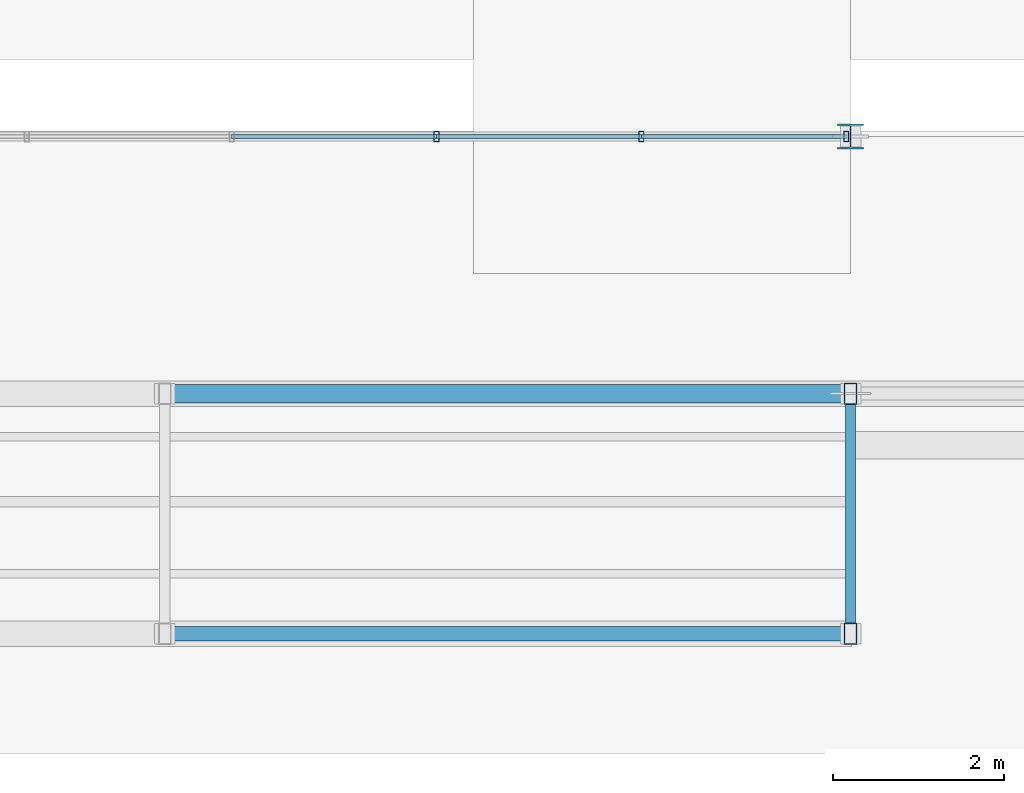
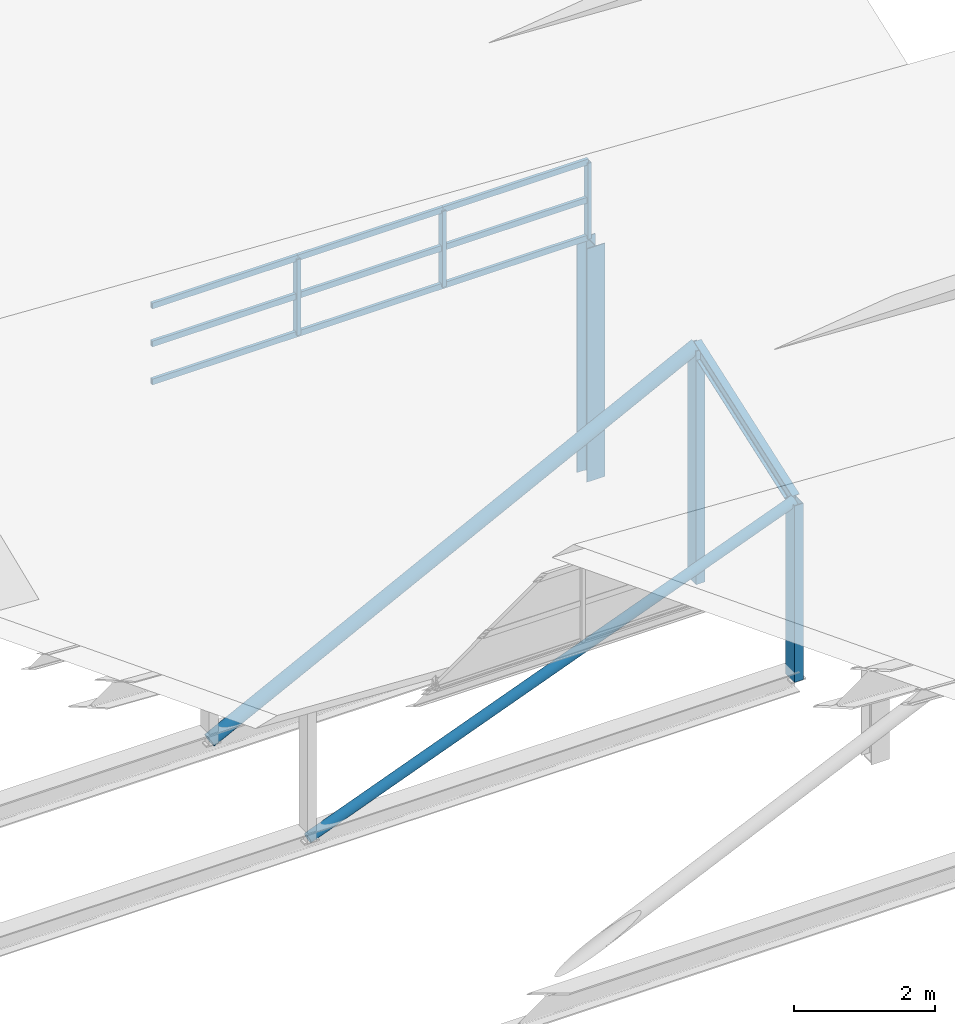
# One storey, part 119 of 141: 18 members, 1 element without a shape of its own.
"""IFC4 building model written with IfcOpenShell, lengths in metres."""

from ifc_helpers import new_model, si_unit, direction, frame, origin, origin_2d, place, context, subcontext, project, spatial, hollow_rectangle, hollow_circle, i_section, extrude, material, material_profile, profile_set, type_object, element, aggregate, save


model = new_model("IFC4")

# Units and contexts
model_context = context("Model", 3, precision=1e-05, world=origin(), true_north=direction((0.0, 1.0)))
body_context = subcontext(model_context, "Body", "Model", "MODEL_VIEW")
ifc_project = project(units=[si_unit("LENGTHUNIT", "METRE"), si_unit("AREAUNIT", "SQUARE_METRE"), si_unit("VOLUMEUNIT", "CUBIC_METRE"), si_unit("PLANEANGLEUNIT", "RADIAN"), si_unit("MASSUNIT", "GRAM", prefix="KILO")], contexts=[model_context])

# Site, building, storey
site_placement = place(None, origin())
site = spatial("IfcSite", under=ifc_project, at=site_placement, CompositionType="ELEMENT")
building_placement = place(site_placement, origin())
building = spatial("IfcBuilding", under=site, at=building_placement, Name="Sundkrona Museum", CompositionType="ELEMENT")
storey_placement = place(building_placement, frame((0.0, 0.0, 34.0)))
storey = spatial("IfcBuildingStorey", under=building, at=storey_placement, Name="RF", CompositionType="ELEMENT", Elevation=34.0)

# Member
ifc_material_1 = material(Name="Steel S355J2", Category="steel")
ifc_material_profile_1 = material_profile(ifc_material_1, i_section(OverallWidth=0.300048828125, OverallDepth=0.2900390625, WebThickness=0.008544921875, FlangeThickness=0.013916015625, FilletRadius=0.027099609375, at=origin_2d()), Name="HEA 300")
ifc_profile_set_1 = profile_set([ifc_material_profile_1], Name="Steel S355J2")
member_type_1 = type_object("IfcMemberType", Name="BR-HEA300", PredefinedType="BRACE", material=ifc_profile_set_1)
member_1_placement = place(storey_placement, frame((168.0, 34.60009765625, -0.25), z_axis=(0.0, 0.0, 1.0), x_axis=(1.0, 0.0, 0.0)))
element("IfcMember", 1, at=member_1_placement, inside=storey, type_object=member_type_1, Name="RFS-1 Sawtooth Bay 5 Clerestory Corner Post E", PredefinedType="BRACE", context=body_context, shape_type="SweptSolid", body=[
    extrude(i_section(OverallWidth=0.300048828125, OverallDepth=0.2900390625, WebThickness=0.008544921875, FlangeThickness=0.013916015625, FilletRadius=0.027099609375, at=origin_2d()), origin(), (0.0, 0.0, 1.0), 4.052978515625),
])

# Curtain wall, members
ifc_material_2 = material(Name="Unitised Aluminium-Steel and Ceramic-Clad Curtain Walling", Category="steel")
curtain_wall_type = type_object("IfcCurtainWallType", Name="CW-SW-240x13", PredefinedType="NOTDEFINED", material=ifc_material_2)
curtain_wall_placement = place(storey_placement, origin())
curtain_wall = element("IfcCurtainWall", 2, at=curtain_wall_placement, inside=storey, type_object=curtain_wall_type, Name="Sawtooth Bay 5 East North-Light Clerestory", PredefinedType="NOTDEFINED")
ifc_material_3 = material(Name="Aluminium EN AW-6060 T66", Category="aluminium")
ifc_material_profile_2 = material_profile(ifc_material_3, hollow_rectangle(XDim=0.06005859375, YDim=0.1201171875, WallThickness=0.0048828125, at=origin_2d()), Name="RHS 120x60x5.0")
ifc_profile_set_2 = profile_set([ifc_material_profile_2], Name="Aluminium EN AW-6060 T66")
member_type_2 = type_object("IfcMemberType", Name="ML-120", PredefinedType="MULLION", material=ifc_profile_set_2)
member_2_placement = place(storey_placement, frame((163.169921875, 34.60009765625, 3.89306640625), z_axis=(0.0, 0.0, 1.0), x_axis=(1.0, 0.0, 0.0)))
member_2 = element("IfcMember", 3, at=member_2_placement, type_object=member_type_2, Name="CW-RF-SAW-05E Mullion 09", PredefinedType="MULLION", context=body_context, shape_type="SweptSolid", body=[
    extrude(hollow_rectangle(XDim=0.06005859375, YDim=0.1201171875, WallThickness=0.0048828125, at=origin_2d()), origin(), (0.0, 0.0, 1.0), 1.31982421875),
])
member_3_placement = place(storey_placement, frame((165.56005859375, 34.60009765625, 3.89306640625), z_axis=(0.0, 0.0, 1.0), x_axis=(1.0, 0.0, 0.0)))
member_3 = element("IfcMember", 4, at=member_3_placement, type_object=member_type_2, Name="CW-RF-SAW-05E Mullion 10", PredefinedType="MULLION", context=body_context, shape_type="SweptSolid", body=[
    extrude(hollow_rectangle(XDim=0.06005859375, YDim=0.1201171875, WallThickness=0.0048828125, at=origin_2d()), origin(), (0.0, 0.0, 1.0), 1.31982421875),
])
member_4_placement = place(storey_placement, frame((167.949951171875, 34.60009765625, 3.89306640625), z_axis=(0.0, 0.0, 1.0), x_axis=(1.0, 0.0, 0.0)))
member_4 = element("IfcMember", 5, at=member_4_placement, type_object=member_type_2, Name="CW-RF-SAW-05E Mullion 11", PredefinedType="MULLION", context=body_context, shape_type="SweptSolid", body=[
    extrude(hollow_rectangle(XDim=0.06005859375, YDim=0.1201171875, WallThickness=0.0048828125, at=origin_2d()), origin(), (0.0, 0.0, 1.0), 1.31982421875),
])

# Members
ifc_material_profile_3 = material_profile(ifc_material_1, i_section(OverallWidth=0.1201171875, OverallDepth=0.239990234375, WebThickness=0.006103515625, FlangeThickness=0.009765625, FilletRadius=0.014892578125, at=origin_2d()), Name="IPE 240")
ifc_profile_set_3 = profile_set([ifc_material_profile_3], Name="Steel S355J2")
member_type_3 = type_object("IfcMemberType", Name="PR-IPE240", PredefinedType="PURLIN", material=ifc_profile_set_3)
member_5_placement = place(storey_placement, frame((168.0, 28.800048828125, 2.81689453125), z_axis=(0.0, 0.942729033287, 0.333559544605), x_axis=(-1.0, 0.0, 0.0)))
element("IfcMember", 6, at=member_5_placement, inside=storey, type_object=member_type_3, Name="RFS-1 Sawtooth Bay 5 Transverse Rafter 7", PredefinedType="PURLIN", context=body_context, shape_type="SweptSolid", body=[
    extrude(i_section(OverallWidth=0.1201171875, OverallDepth=0.239990234375, WebThickness=0.006103515625, FlangeThickness=0.009765625, FilletRadius=0.014892578125, at=origin_2d()), origin(), (0.0, 0.0, 1.0), 2.97021484375),
])
ifc_material_profile_4 = material_profile(ifc_material_1, hollow_circle(Radius=0.084228515625, WallThickness=0.008056640625, at=origin_2d()), Name="CHS 168.3x8.0")
ifc_profile_set_4 = profile_set([ifc_material_profile_4], Name="Steel S355J2")
member_type_4 = type_object("IfcMemberType", Name="ST-CHS168", PredefinedType="STRUT", material=ifc_profile_set_4)
member_6_placement = place(storey_placement, frame((160.0, 28.800048828125, -0.25), z_axis=(0.933737228161, 0.0, 0.357959199834), x_axis=(0.0, 1.0, 0.0)))
element("IfcMember", 7, at=member_6_placement, inside=storey, type_object=member_type_4, Name="RFS-1 Sawtooth Valley Truss 5 Web Strut 6", PredefinedType="STRUT", context=body_context, shape_type="SweptSolid", body=[
    extrude(hollow_circle(Radius=0.084228515625, WallThickness=0.008056640625, at=origin_2d()), origin(), (0.0, 0.0, 1.0), 8.567626953125),
])
ifc_material_profile_5 = material_profile(ifc_material_1, hollow_circle(Radius=0.109619140625, WallThickness=0.010009765625, at=origin_2d()), Name="CHS 219.1x10.0")
ifc_profile_set_5 = profile_set([ifc_material_profile_5], Name="Steel S355J2")
member_type_5 = type_object("IfcMemberType", Name="ST-CHS219", PredefinedType="STRUT", material=ifc_profile_set_5)
member_7_placement = place(storey_placement, frame((160.0, 31.60009765625, -0.25), z_axis=(0.891843155492, 0.0, 0.452344764535), x_axis=(0.0, 1.0, 0.0)))
element("IfcMember", 8, at=member_7_placement, inside=storey, type_object=member_type_5, Name="RFS-1 Sawtooth Truss 5 Web Strut 6", PredefinedType="STRUT", context=body_context, shape_type="SweptSolid", body=[
    extrude(hollow_circle(Radius=0.109619140625, WallThickness=0.010009765625, at=origin_2d()), origin(), (0.0, 0.0, 1.0), 8.97021484375),
])
ifc_material_profile_6 = material_profile(ifc_material_1, hollow_rectangle(XDim=0.14990234375, YDim=0.25, WallThickness=0.010009765625, at=origin_2d()), Name="RHS 250x150x10.0")
ifc_profile_set_6 = profile_set([ifc_material_profile_6], Name="Steel S355J2")
member_type_6 = type_object("IfcMemberType", Name="ST-RHS250", PredefinedType="STRUT", material=ifc_profile_set_6)
member_8_placement = place(storey_placement, frame((168.0, 31.60009765625, -0.25), z_axis=(0.0, 0.0, 1.0), x_axis=(1.0, 0.0, 0.0)))
element("IfcMember", 9, at=member_8_placement, inside=storey, type_object=member_type_6, Name="RFS-1 Sawtooth Truss 5 Vertical Post 7", PredefinedType="STRUT", context=body_context, shape_type="SweptSolid", body=[
    extrude(hollow_rectangle(XDim=0.14990234375, YDim=0.25, WallThickness=0.010009765625, at=origin_2d()), origin(), (0.0, 0.0, 1.0), 4.0576171875),
])
member_9_placement = place(storey_placement, frame((168.0, 28.800048828125, -0.25), z_axis=(0.0, 0.0, 1.0), x_axis=(1.0, 0.0, 0.0)))
element("IfcMember", 10, at=member_9_placement, inside=storey, type_object=member_type_6, Name="RFS-1 Sawtooth Bay 5 Valley Post 7", PredefinedType="STRUT", context=body_context, shape_type="SweptSolid", body=[
    extrude(hollow_rectangle(XDim=0.14990234375, YDim=0.25, WallThickness=0.010009765625, at=origin_2d()), origin(), (0.0, 0.0, 1.0), 3.06689453125),
])

# Member
ifc_material_profile_7 = material_profile(ifc_material_3, hollow_rectangle(XDim=0.050048828125, YDim=0.10009765625, WallThickness=0.0048828125, at=origin_2d()), Name="RHS 100x50x5.0")
ifc_profile_set_7 = profile_set([ifc_material_profile_7], Name="Aluminium EN AW-6060 T66")
member_type_7 = type_object("IfcMemberType", Name="TR-100", PredefinedType="USERDEFINED", material=ifc_profile_set_7)
member_10_placement = place(storey_placement, frame((160.780029296875, 34.60009765625, 3.89306640625), z_axis=(1.0, 0.0, 0.0), x_axis=(0.0, 1.0, 0.0)))
member_10 = element("IfcMember", 11, at=member_10_placement, type_object=member_type_7, Name="CW-RF-SAW-05E Transom 22", ObjectType="TRANSOM", PredefinedType="USERDEFINED", context=body_context, shape_type="SweptSolid", body=[
    extrude(hollow_rectangle(XDim=0.050048828125, YDim=0.10009765625, WallThickness=0.0048828125, at=origin_2d()), origin(), (0.0, 0.0, 1.0), 2.389892578125),
])

member_11_placement = place(storey_placement, frame((160.780029296875, 34.60009765625, 4.552978515625), z_axis=(1.0, 0.0, 0.0), x_axis=(0.0, 1.0, 0.0)))
member_11 = element("IfcMember", 12, at=member_11_placement, type_object=member_type_7, Name="CW-RF-SAW-05E Transom 23", ObjectType="TRANSOM", PredefinedType="USERDEFINED", context=body_context, shape_type="SweptSolid", body=[
    extrude(hollow_rectangle(XDim=0.050048828125, YDim=0.10009765625, WallThickness=0.0048828125, at=origin_2d()), origin(), (0.0, 0.0, 1.0), 2.389892578125),
])

member_12_placement = place(storey_placement, frame((160.780029296875, 34.60009765625, 5.212890625), z_axis=(1.0, 0.0, 0.0), x_axis=(0.0, 1.0, 0.0)))
member_12 = element("IfcMember", 13, at=member_12_placement, type_object=member_type_7, Name="CW-RF-SAW-05E Transom 24", ObjectType="TRANSOM", PredefinedType="USERDEFINED", context=body_context, shape_type="SweptSolid", body=[
    extrude(hollow_rectangle(XDim=0.050048828125, YDim=0.10009765625, WallThickness=0.0048828125, at=origin_2d()), origin(), (0.0, 0.0, 1.0), 2.389892578125),
])

member_13_placement = place(storey_placement, frame((163.169921875, 34.60009765625, 3.89306640625), z_axis=(1.0, 0.0, 0.0), x_axis=(0.0, 1.0, 0.0)))
member_13 = element("IfcMember", 14, at=member_13_placement, type_object=member_type_7, Name="CW-RF-SAW-05E Transom 25", ObjectType="TRANSOM", PredefinedType="USERDEFINED", context=body_context, shape_type="SweptSolid", body=[
    extrude(hollow_rectangle(XDim=0.050048828125, YDim=0.10009765625, WallThickness=0.0048828125, at=origin_2d()), origin(), (0.0, 0.0, 1.0), 2.39013671875),
])

member_14_placement = place(storey_placement, frame((163.169921875, 34.60009765625, 4.552978515625), z_axis=(1.0, 0.0, 0.0), x_axis=(0.0, 1.0, 0.0)))
member_14 = element("IfcMember", 15, at=member_14_placement, type_object=member_type_7, Name="CW-RF-SAW-05E Transom 26", ObjectType="TRANSOM", PredefinedType="USERDEFINED", context=body_context, shape_type="SweptSolid", body=[
    extrude(hollow_rectangle(XDim=0.050048828125, YDim=0.10009765625, WallThickness=0.0048828125, at=origin_2d()), origin(), (0.0, 0.0, 1.0), 2.39013671875),
])

member_15_placement = place(storey_placement, frame((163.169921875, 34.60009765625, 5.212890625), z_axis=(1.0, 0.0, 0.0), x_axis=(0.0, 1.0, 0.0)))
member_15 = element("IfcMember", 16, at=member_15_placement, type_object=member_type_7, Name="CW-RF-SAW-05E Transom 27", ObjectType="TRANSOM", PredefinedType="USERDEFINED", context=body_context, shape_type="SweptSolid", body=[
    extrude(hollow_rectangle(XDim=0.050048828125, YDim=0.10009765625, WallThickness=0.0048828125, at=origin_2d()), origin(), (0.0, 0.0, 1.0), 2.39013671875),
])

member_16_placement = place(storey_placement, frame((165.56005859375, 34.60009765625, 3.89306640625), z_axis=(1.0, 0.0, 0.0), x_axis=(0.0, 1.0, 0.0)))
member_16 = element("IfcMember", 17, at=member_16_placement, type_object=member_type_7, Name="CW-RF-SAW-05E Transom 28", ObjectType="TRANSOM", PredefinedType="USERDEFINED", context=body_context, shape_type="SweptSolid", body=[
    extrude(hollow_rectangle(XDim=0.050048828125, YDim=0.10009765625, WallThickness=0.0048828125, at=origin_2d()), origin(), (0.0, 0.0, 1.0), 2.389892578125),
])

member_17_placement = place(storey_placement, frame((165.56005859375, 34.60009765625, 4.552978515625), z_axis=(1.0, 0.0, 0.0), x_axis=(0.0, 1.0, 0.0)))
member_17 = element("IfcMember", 18, at=member_17_placement, type_object=member_type_7, Name="CW-RF-SAW-05E Transom 29", ObjectType="TRANSOM", PredefinedType="USERDEFINED", context=body_context, shape_type="SweptSolid", body=[
    extrude(hollow_rectangle(XDim=0.050048828125, YDim=0.10009765625, WallThickness=0.0048828125, at=origin_2d()), origin(), (0.0, 0.0, 1.0), 2.389892578125),
])

member_18_placement = place(storey_placement, frame((165.56005859375, 34.60009765625, 5.212890625), z_axis=(1.0, 0.0, 0.0), x_axis=(0.0, 1.0, 0.0)))
member_18 = element("IfcMember", 19, at=member_18_placement, type_object=member_type_7, Name="CW-RF-SAW-05E Transom 30", ObjectType="TRANSOM", PredefinedType="USERDEFINED", context=body_context, shape_type="SweptSolid", body=[
    extrude(hollow_rectangle(XDim=0.050048828125, YDim=0.10009765625, WallThickness=0.0048828125, at=origin_2d()), origin(), (0.0, 0.0, 1.0), 2.389892578125),
])

aggregate(curtain_wall, [member_2, member_3, member_4, member_10, member_11, member_12, member_13, member_14, member_15, member_16, member_17, member_18])

save(model, "model.ifc")
